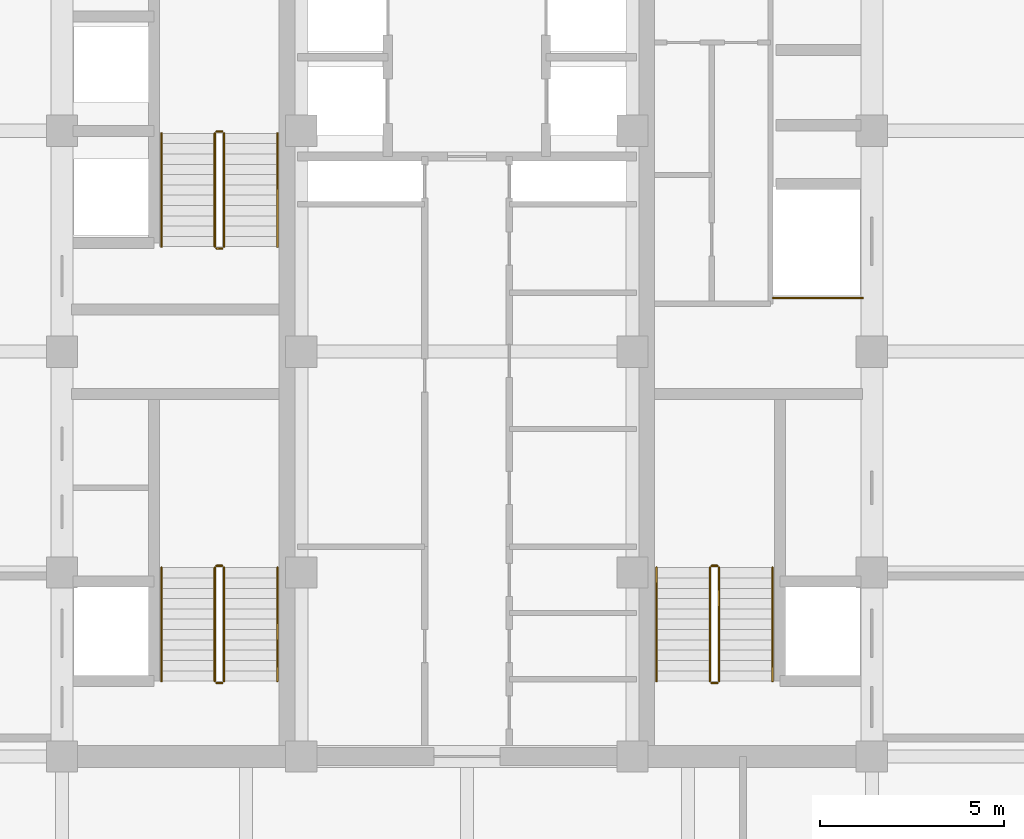
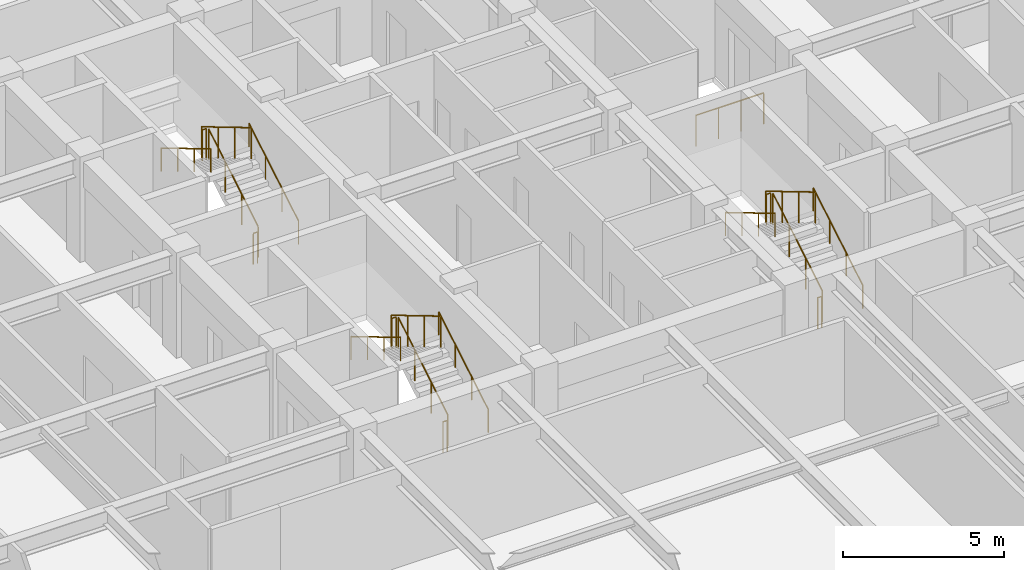
# One storey, part 25 of 25: 19 railings.
"""IFC4 building model written with IfcOpenShell, lengths in metres."""

from ifc_helpers import new_model, si_unit, direction, frame, origin, origin_2d, place, context, subcontext, project, spatial, circle, extrude, source, transform, mapped, material, type_object, element, save


model = new_model("IFC4")

# Units and contexts
model_context = context("Model", 3, precision=1e-05, world=origin(), true_north=direction((0.0, 1.0)))
body_context = subcontext(model_context, "Body", "Model", "MODEL_VIEW")
ifc_project = project(units=[si_unit("LENGTHUNIT", "METRE"), si_unit("AREAUNIT", "SQUARE_METRE"), si_unit("VOLUMEUNIT", "CUBIC_METRE"), si_unit("PLANEANGLEUNIT", "RADIAN"), si_unit("MASSUNIT", "GRAM", prefix="KILO")], contexts=[model_context])

# Site, building, storey
site_placement = place(None, origin())
site = spatial("IfcSite", under=ifc_project, at=site_placement, CompositionType="ELEMENT")
building_placement = place(site_placement, origin())
building = spatial("IfcBuilding", under=site, at=building_placement, Name="Khorayat Bourse Tower", CompositionType="ELEMENT")
storey_placement = place(building_placement, frame((0.0, 0.0, 227.10009765625)))
storey = spatial("IfcBuildingStorey", under=building, at=storey_placement, Name="L53", CompositionType="ELEMENT", Elevation=227.10009765625)

# Railings
ifc_material_1 = material(Name="Powder-coated steel balustrade", Category="steel")
railing_type_1 = type_object("IfcRailingType", Name="RLG-GUARD-1200", PredefinedType="GUARDRAIL", material=ifc_material_1)
shared_shape_1 = source(origin(), body_context, "Body", "SweptSolid", [
    extrude(circle(Radius=0.02392578125, at=origin_2d()), frame((0.0, 0.0, 1.17578125), z_axis=(-1.0, 0.0, 0.0), x_axis=(0.0, -1.0, 0.0)), (0.0, 0.0, 1.0), 0.150146484375),
    extrude(circle(Radius=0.02099609375, at=origin_2d()), origin(), (0.0, 0.0, 1.0), 1.15185546875),
    extrude(circle(Radius=0.02099609375, at=origin_2d()), frame((-0.150146484375, 0.0, 0.0)), (0.0, 0.0, 1.0), 1.15185546875),
])
for number, where, name in (
    (1, (-6.64990234375, -5.820068359375, 2.0), "L53 ST-1 stair guard 2"),
    (2, (-6.64990234375, -9.0, 0.0), "L53 ST-1 stair guard 4"),
    (3, (-6.64990234375, 5.97998046875, 2.0), "L53 ST-2 stair guard 2"),
    (4, (-6.64990234375, 2.800048828125, 0.0), "L53 ST-2 stair guard 4"),
    (5, (6.800048828125, -5.820068359375, 2.0), "L53 ST-3 stair guard 2"),
    (6, (6.800048828125, -9.0, 0.0), "L53 ST-3 stair guard 4"),
):
    element("IfcRailing", number, at=place(storey_placement, frame(where)), inside=storey, type_object=railing_type_1, Name=name, PredefinedType="GUARDRAIL", context=body_context, shape_type="MappedRepresentation", body=[
        mapped(shared_shape_1, transform((0.0, 0.0, 0.0), scale=1.0)),
    ])
shared_shape_2 = source(origin(), body_context, "Body", "SweptSolid", [
    extrude(circle(Radius=0.02392578125, at=origin_2d()), frame((0.0, 0.0, 1.17578125), z_axis=(0.0, 0.859260807169, 0.511537745687), x_axis=(-1.0, 0.0, 0.0)), (0.0, 0.0, 1.0), 3.584228515625),
    extrude(circle(Radius=0.02099609375, at=origin_2d()), origin(), (0.0, 0.0, 1.0), 1.15185546875),
    extrude(circle(Radius=0.02099609375, at=origin_2d()), frame((0.0, 1.026611328125, 0.611083984375)), (0.0, 0.0, 1.0), 1.15185546875),
    extrude(circle(Radius=0.02099609375, at=origin_2d()), frame((0.0, 2.05322265625, 1.222412109375)), (0.0, 0.0, 1.0), 1.15185546875),
    extrude(circle(Radius=0.02099609375, at=origin_2d()), frame((0.0, 3.079833984375, 1.83349609375)), (0.0, 0.0, 1.0), 1.15185546875),
])
for number, where, name in (
    (7, (-6.60009765625, -8.949951171875, 0.16650390625), "L53 ST-1 stair guard 1"),
    (8, (-6.60009765625, 2.85009765625, 0.16650390625), "L53 ST-2 stair guard 1"),
    (9, (6.85009765625, -8.949951171875, 0.16650390625), "L53 ST-3 stair guard 1"),
):
    element("IfcRailing", number, at=place(storey_placement, frame(where)), inside=storey, type_object=railing_type_1, Name=name, PredefinedType="GUARDRAIL", context=body_context, shape_type="MappedRepresentation", body=[
        mapped(shared_shape_2, transform((0.0, 0.0, 0.0), scale=1.0)),
    ])
shared_shape_3 = source(origin(), body_context, "Body", "SweptSolid", [
    extrude(circle(Radius=0.02392578125, at=origin_2d()), frame((0.0, 0.0, 1.17578125), z_axis=(0.0, -0.859260807169, 0.511537745687), x_axis=(1.0, 0.0, 0.0)), (0.0, 0.0, 1.0), 3.584228515625),
    extrude(circle(Radius=0.02099609375, at=origin_2d()), origin(), (0.0, 0.0, 1.0), 1.15185546875),
    extrude(circle(Radius=0.02099609375, at=origin_2d()), frame((0.0, -1.026611328125, 0.611083984375)), (0.0, 0.0, 1.0), 1.15185546875),
    extrude(circle(Radius=0.02099609375, at=origin_2d()), frame((0.0, -2.05322265625, 1.222412109375)), (0.0, 0.0, 1.0), 1.15185546875),
    extrude(circle(Radius=0.02099609375, at=origin_2d()), frame((0.0, -3.079833984375, 1.83349609375)), (0.0, 0.0, 1.0), 1.15185546875),
])
for number, where, name in (
    (10, (-6.85009765625, -5.8701171875, 2.16650390625), "L53 ST-1 stair guard 3"),
    (11, (-6.85009765625, 5.929931640625, 2.16650390625), "L53 ST-2 stair guard 3"),
    (12, (6.60009765625, -5.8701171875, 2.16650390625), "L53 ST-3 stair guard 3"),
):
    element("IfcRailing", number, at=place(storey_placement, frame(where)), inside=storey, type_object=railing_type_1, Name=name, PredefinedType="GUARDRAIL", context=body_context, shape_type="MappedRepresentation", body=[
        mapped(shared_shape_3, transform((0.0, 0.0, 0.0), scale=1.0)),
    ])
ifc_material_2 = material(Name="Brushed bronze stainless-steel handrail", Category="steel")
railing_type_2 = type_object("IfcRailingType", Name="RLG-HAND-900", PredefinedType="HANDRAIL", material=ifc_material_2)
shared_shape_4 = source(origin(), body_context, "Body", "SweptSolid", [
    extrude(circle(Radius=0.02392578125, at=origin_2d()), frame((0.0, 0.0, 0.8759765625), z_axis=(0.0, 0.859260807169, 0.511537745687), x_axis=(-1.0, 0.0, 0.0)), (0.0, 0.0, 1.0), 3.584228515625),
    extrude(circle(Radius=0.02099609375, at=origin_2d()), origin(), (0.0, 0.0, 1.0), 0.851806640625),
    extrude(circle(Radius=0.02099609375, at=origin_2d()), frame((0.0, 1.026611328125, 0.611083984375)), (0.0, 0.0, 1.0), 0.851806640625),
    extrude(circle(Radius=0.02099609375, at=origin_2d()), frame((0.0, 2.05322265625, 1.222412109375)), (0.0, 0.0, 1.0), 0.851806640625),
    extrude(circle(Radius=0.02099609375, at=origin_2d()), frame((0.0, 3.079833984375, 1.83349609375)), (0.0, 0.0, 1.0), 0.851806640625),
])
for number, where, name in (
    (13, (-5.14990234375, -8.949951171875, 0.16650390625), "L53 ST-1 stair handrail 1"),
    (14, (-5.14990234375, 2.85009765625, 0.16650390625), "L53 ST-2 stair handrail 1"),
    (15, (8.300048828125, -8.949951171875, 0.16650390625), "L53 ST-3 stair handrail 1"),
):
    element("IfcRailing", number, at=place(storey_placement, frame(where)), inside=storey, type_object=railing_type_2, Name=name, PredefinedType="HANDRAIL", context=body_context, shape_type="MappedRepresentation", body=[
        mapped(shared_shape_4, transform((0.0, 0.0, 0.0), scale=1.0)),
    ])
shared_shape_5 = source(origin(), body_context, "Body", "SweptSolid", [
    extrude(circle(Radius=0.02392578125, at=origin_2d()), frame((0.0, 0.0, 0.8759765625), z_axis=(0.0, -0.859260807169, 0.511537745687), x_axis=(1.0, 0.0, 0.0)), (0.0, 0.0, 1.0), 3.584228515625),
    extrude(circle(Radius=0.02099609375, at=origin_2d()), origin(), (0.0, 0.0, 1.0), 0.851806640625),
    extrude(circle(Radius=0.02099609375, at=origin_2d()), frame((0.0, -1.026611328125, 0.611083984375)), (0.0, 0.0, 1.0), 0.851806640625),
    extrude(circle(Radius=0.02099609375, at=origin_2d()), frame((0.0, -2.05322265625, 1.222412109375)), (0.0, 0.0, 1.0), 0.851806640625),
    extrude(circle(Radius=0.02099609375, at=origin_2d()), frame((0.0, -3.079833984375, 1.83349609375)), (0.0, 0.0, 1.0), 0.851806640625),
])
for number, where, name in (
    (16, (-8.300048828125, -5.8701171875, 2.16650390625), "L53 ST-1 stair handrail 2"),
    (17, (-8.300048828125, 5.929931640625, 2.16650390625), "L53 ST-2 stair handrail 2"),
    (18, (5.14990234375, -5.8701171875, 2.16650390625), "L53 ST-3 stair handrail 2"),
):
    element("IfcRailing", number, at=place(storey_placement, frame(where)), inside=storey, type_object=railing_type_2, Name=name, PredefinedType="HANDRAIL", context=body_context, shape_type="MappedRepresentation", body=[
        mapped(shared_shape_5, transform((0.0, 0.0, 0.0), scale=1.0)),
    ])
shared_shape_6 = source(origin(), body_context, "Body", "SweptSolid", [
    extrude(circle(Radius=0.02392578125, at=origin_2d()), frame((0.0, 0.0, 1.17578125), z_axis=(1.0, 0.0, 0.0), x_axis=(0.0, 1.0, 0.0)), (0.0, 0.0, 1.0), 2.429931640625),
    extrude(circle(Radius=0.02099609375, at=origin_2d()), origin(), (0.0, 0.0, 1.0), 1.15185546875),
    extrude(circle(Radius=0.02099609375, at=origin_2d()), frame((0.81005859375, 0.0, 0.0)), (0.0, 0.0, 1.0), 1.15185546875),
    extrude(circle(Radius=0.02099609375, at=origin_2d()), frame((1.619873046875, 0.0, 0.0)), (0.0, 0.0, 1.0), 1.15185546875),
    extrude(circle(Radius=0.02099609375, at=origin_2d()), frame((2.429931640625, 0.0, 0.0)), (0.0, 0.0, 1.0), 1.15185546875),
])
railing_placement = place(storey_placement, frame((8.320068359375, 1.4599609375, 0.0)))
element("IfcRailing", 19, at=railing_placement, inside=storey, type_object=railing_type_1, Name="L53 Goods Shaft Opening Guardrail", PredefinedType="GUARDRAIL", context=body_context, shape_type="MappedRepresentation", body=[
    mapped(shared_shape_6, transform((0.0, 0.0, 0.0), scale=1.0)),
])

save(model, "model.ifc")
